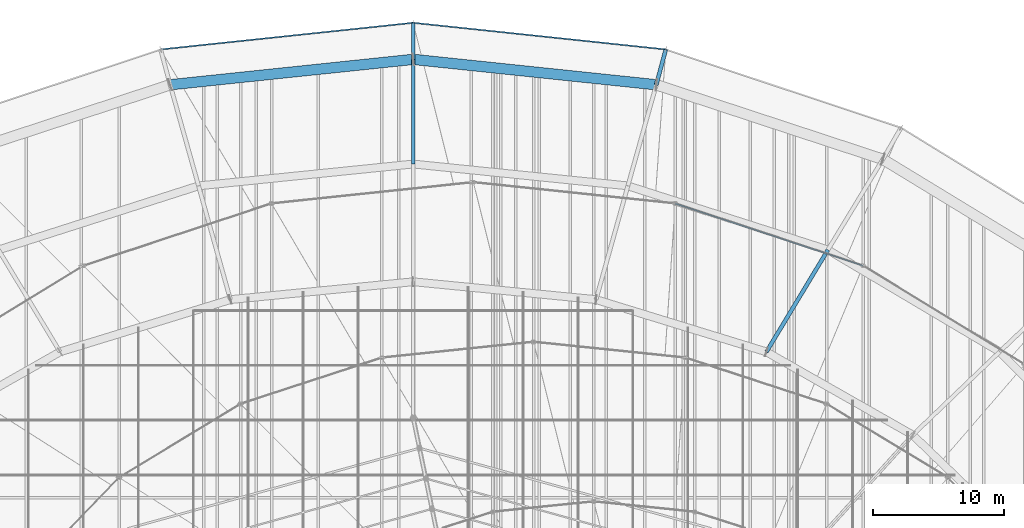
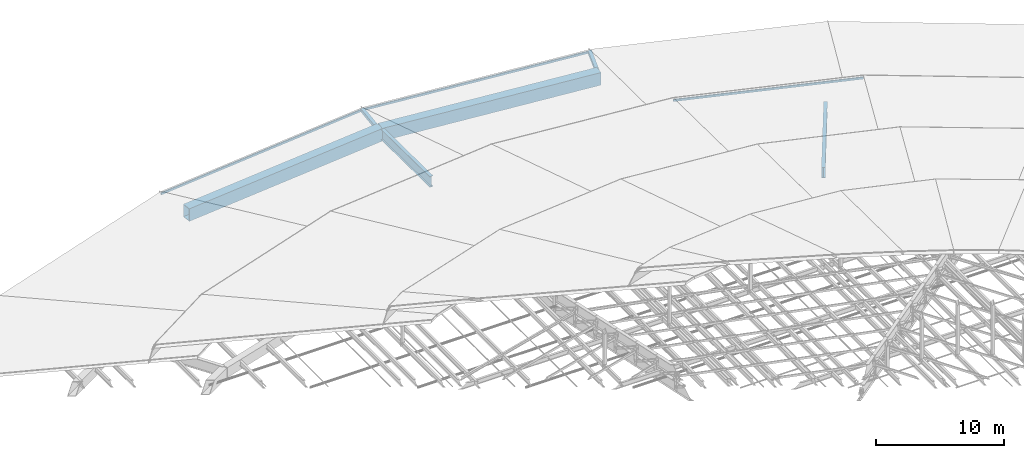
# One storey, part 125 of 184: 5 members, 4 beams.
"""IFC4 building model written with IfcOpenShell, lengths in metres."""

from ifc_helpers import new_model, si_unit, direction, frame, origin, origin_2d, place, context, subcontext, project, spatial, hollow_rectangle, i_section, extrude, material, material_profile, profile_set, type_object, element, save


model = new_model("IFC4")

# Units and contexts
model_context = context("Model", 3, precision=1e-05, world=origin(), true_north=direction((0.0, 1.0)))
body_context = subcontext(model_context, "Body", "Model", "MODEL_VIEW")
ifc_project = project(units=[si_unit("LENGTHUNIT", "METRE"), si_unit("AREAUNIT", "SQUARE_METRE"), si_unit("VOLUMEUNIT", "CUBIC_METRE"), si_unit("PLANEANGLEUNIT", "RADIAN"), si_unit("MASSUNIT", "GRAM", prefix="KILO")], contexts=[model_context])

# Site, building, storey
site_placement = place(None, origin())
site = spatial("IfcSite", under=ifc_project, at=site_placement, CompositionType="ELEMENT")
building_placement = place(site_placement, origin())
building = spatial("IfcBuilding", under=site, at=building_placement, Name="Kalgoora Escarpment Arena", CompositionType="ELEMENT")
storey_placement = place(building_placement, frame((0.0, 0.0, 27.60009765625)))
storey = spatial("IfcBuildingStorey", under=building, at=storey_placement, Name="Roof Level", CompositionType="ELEMENT", Elevation=27.60009765625)

# Beams
ifc_material_1 = material(Name="Structural steel Grade 350 (350 MPa)", Category="steel")
ifc_material_profile_1 = material_profile(ifc_material_1, hollow_rectangle(XDim=0.800048828125, YDim=1.199951171875, WallThickness=0.031982421875, at=origin_2d()))
ifc_profile_set_1 = profile_set([ifc_material_profile_1], Name="Structural steel Grade 350 (350 MPa)")
beam_type_1 = type_object("IfcBeamType", Name="BM-RING-BOX1200", PredefinedType="USERDEFINED", material=ifc_profile_set_1)
beam_1_placement = place(storey_placement, frame((110.983154296875, 119.057861328125, -1.4501953125), z_axis=(-0.994583146525, 0.103944045753, 0.0), x_axis=(-0.103944045753, -0.994583146525, 0.0)))
element("IfcBeam", 1, at=beam_1_placement, inside=storey, type_object=beam_type_1, Name="Outer perimeter compression RING BEAM chord 06", ObjectType="GIRDER", PredefinedType="USERDEFINED", context=body_context, shape_type="SweptSolid", body=[
    extrude(hollow_rectangle(XDim=0.800048828125, YDim=1.199951171875, WallThickness=0.031982421875, at=origin_2d()), origin(), (0.0, 0.0, 1.0), 18.6845703125),
])
beam_2_placement = place(storey_placement, frame((92.39990234375, 121.0, -1.4501953125), z_axis=(-0.994583005347, -0.103945396599, 0.0), x_axis=(0.103945396599, -0.994583005347, 0.0)))
element("IfcBeam", 2, at=beam_2_placement, inside=storey, type_object=beam_type_1, Name="Outer perimeter compression RING BEAM chord 07", ObjectType="GIRDER", PredefinedType="USERDEFINED", context=body_context, shape_type="SweptSolid", body=[
    extrude(hollow_rectangle(XDim=0.800048828125, YDim=1.199951171875, WallThickness=0.031982421875, at=origin_2d()), origin(), (0.0, 0.0, 1.0), 18.684326171875),
])
ifc_material_2 = material(Name="Structural steel Grade 350 (350 MPa)", Category="steel")
ifc_material_profile_2 = material_profile(ifc_material_2, i_section(OverallWidth=0.300048828125, OverallDepth=1.010009765625, WebThickness=0.01611328125, FlangeThickness=0.030029296875, at=origin_2d()))
ifc_profile_set_2 = profile_set([ifc_material_profile_2], Name="Structural steel Grade 350 (350 MPa)")
beam_type_2 = type_object("IfcBeamType", Name="BM-TRUSS-CHORD", PredefinedType="USERDEFINED", material=ifc_profile_set_2)
beam_3_placement = place(storey_placement, frame((124.10009765625, 106.435302734375, -1.300048828125), z_axis=(-0.51637655307, -0.856291370079, 0.010970185446), x_axis=(0.856342899909, -0.516407627535, 0.0)))
element("IfcBeam", 3, at=beam_3_placement, inside=storey, type_object=beam_type_2, Name="Inner radial petal support girder R05", ObjectType="GIRDER", PredefinedType="USERDEFINED", context=body_context, shape_type="SweptSolid", body=[
    extrude(i_section(OverallWidth=0.300048828125, OverallDepth=1.010009765625, WebThickness=0.01611328125, FlangeThickness=0.030029296875, at=origin_2d()), origin(), (0.0, 0.0, 1.0), 9.102294921875),
])
beam_4_placement = place(storey_placement, frame((92.39990234375, 121.0, -1.400146484375), z_axis=(0.0, -0.999921731527, 0.01251122772), x_axis=(1.0, 0.0, 0.0)))
element("IfcBeam", 4, at=beam_4_placement, inside=storey, type_object=beam_type_2, Name="Outer radial petal support girder R07", ObjectType="GIRDER", PredefinedType="USERDEFINED", context=body_context, shape_type="SweptSolid", body=[
    extrude(i_section(OverallWidth=0.300048828125, OverallDepth=1.010009765625, WebThickness=0.01611328125, FlangeThickness=0.030029296875, at=origin_2d()), origin(), (0.0, 0.0, 1.0), 8.000732421875),
])

# Members
ifc_material_3 = material(Name="Structural steel C350 (350 MPa)", Category="steel")
ifc_material_profile_3 = material_profile(ifc_material_3, hollow_rectangle(XDim=0.10009765625, YDim=0.199951171875, WallThickness=0.009033203125, at=origin_2d()))
ifc_profile_set_3 = profile_set([ifc_material_profile_3], Name="Structural steel C350 (350 MPa)")
member_type_1 = type_object("IfcMemberType", Name="MEM-PURLIN-RHS", PredefinedType="PURLIN", material=ifc_profile_set_3)
member_1_placement = place(storey_placement, frame((111.7080078125, 121.762451171875, -1.02001953125), z_axis=(-0.994477719458, 0.104947918046, 0.0), x_axis=(-0.104947918046, -0.994477719458, 0.0)))
element("IfcMember", 5, at=member_1_placement, inside=storey, type_object=member_type_1, Name="Petal RP1 eave support ring purlin S06", PredefinedType="PURLIN", context=body_context, shape_type="SweptSolid", body=[
    extrude(hollow_rectangle(XDim=0.10009765625, YDim=0.199951171875, WallThickness=0.009033203125, at=origin_2d()), origin(), (0.0, 0.0, 1.0), 19.415283203125),
])
member_2_placement = place(storey_placement, frame((92.39990234375, 123.800048828125, -1.02001953125), z_axis=(-0.994477580957, -0.104949230457, 0.0), x_axis=(0.104949230457, -0.994477580957, 0.0)))
element("IfcMember", 6, at=member_2_placement, inside=storey, type_object=member_type_1, Name="Petal RP1 eave support ring purlin S07", PredefinedType="PURLIN", context=body_context, shape_type="SweptSolid", body=[
    extrude(hollow_rectangle(XDim=0.10009765625, YDim=0.199951171875, WallThickness=0.009033203125, at=origin_2d()), origin(), (0.0, 0.0, 1.0), 19.4150390625),
])
member_3_placement = place(storey_placement, frame((126.800048828125, 105.222900390625, 1.244873046875), z_axis=(-0.949401616554, 0.31406459604, 0.0), x_axis=(-0.31406459604, -0.949401616554, 0.0)))
element("IfcMember", 7, at=member_3_placement, inside=storey, type_object=member_type_1, Name="Petal RP2 eave support ring purlin S05", PredefinedType="PURLIN", context=body_context, shape_type="SweptSolid", body=[
    extrude(hollow_rectangle(XDim=0.10009765625, YDim=0.199951171875, WallThickness=0.009033203125, at=origin_2d()), origin(), (0.0, 0.0, 1.0), 15.140625),
])
ifc_material_4 = material(Name="Structural steel C450 (450 MPa)", Category="steel")
ifc_material_profile_4 = material_profile(ifc_material_4, hollow_rectangle(XDim=0.300048828125, YDim=0.300048828125, WallThickness=0.012451171875, at=origin_2d()))
ifc_profile_set_4 = profile_set([ifc_material_profile_4], Name="Structural steel C450 (450 MPa)")
member_type_2 = type_object("IfcMemberType", Name="MEM-TRUSS-POST", PredefinedType="POST", material=ifc_profile_set_4)
member_4_placement = place(storey_placement, frame((110.983154296875, 119.057861328125, -1.400146484375), z_axis=(0.256269035723, 0.956196826452, 0.141470174991), x_axis=(-0.965911463294, 0.258872642582, 0.0)))
element("IfcMember", 8, at=member_4_placement, inside=storey, type_object=member_type_2, Name="Petal RP1 eave strut S06", PredefinedType="POST", context=body_context, shape_type="SweptSolid", body=[
    extrude(hollow_rectangle(XDim=0.300048828125, YDim=0.300048828125, WallThickness=0.012451171875, at=origin_2d()), origin(), (0.0, 0.0, 1.0), 2.828369140625),
])
member_5_placement = place(storey_placement, frame((92.39990234375, 121.0, -1.400146484375), z_axis=(0.0, 0.98994258731, 0.141469692266), x_axis=(-1.0, 0.0, 0.0)))
element("IfcMember", 9, at=member_5_placement, inside=storey, type_object=member_type_2, Name="Petal RP1 eave strut S07", PredefinedType="POST", context=body_context, shape_type="SweptSolid", body=[
    extrude(hollow_rectangle(XDim=0.300048828125, YDim=0.300048828125, WallThickness=0.012451171875, at=origin_2d()), origin(), (0.0, 0.0, 1.0), 2.82861328125),
])

save(model, "model.ifc")
